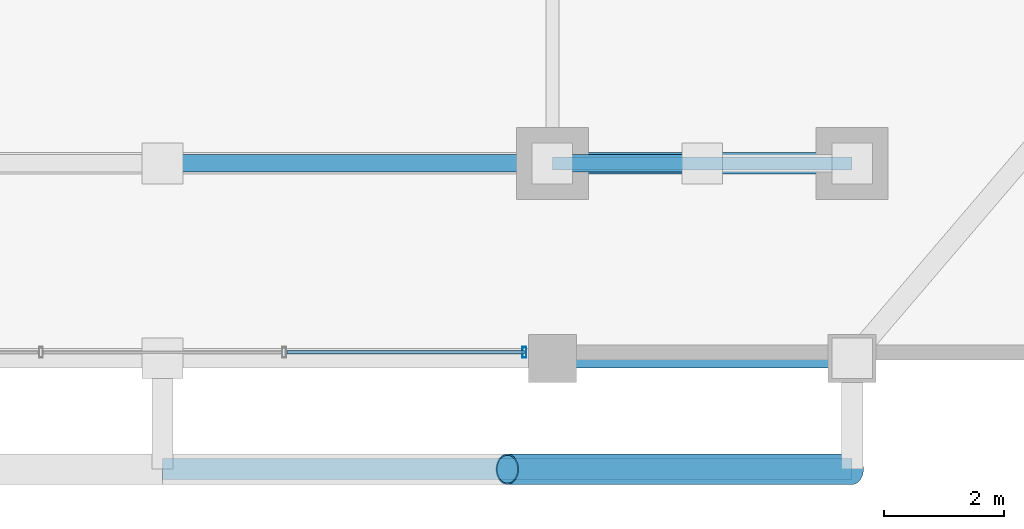
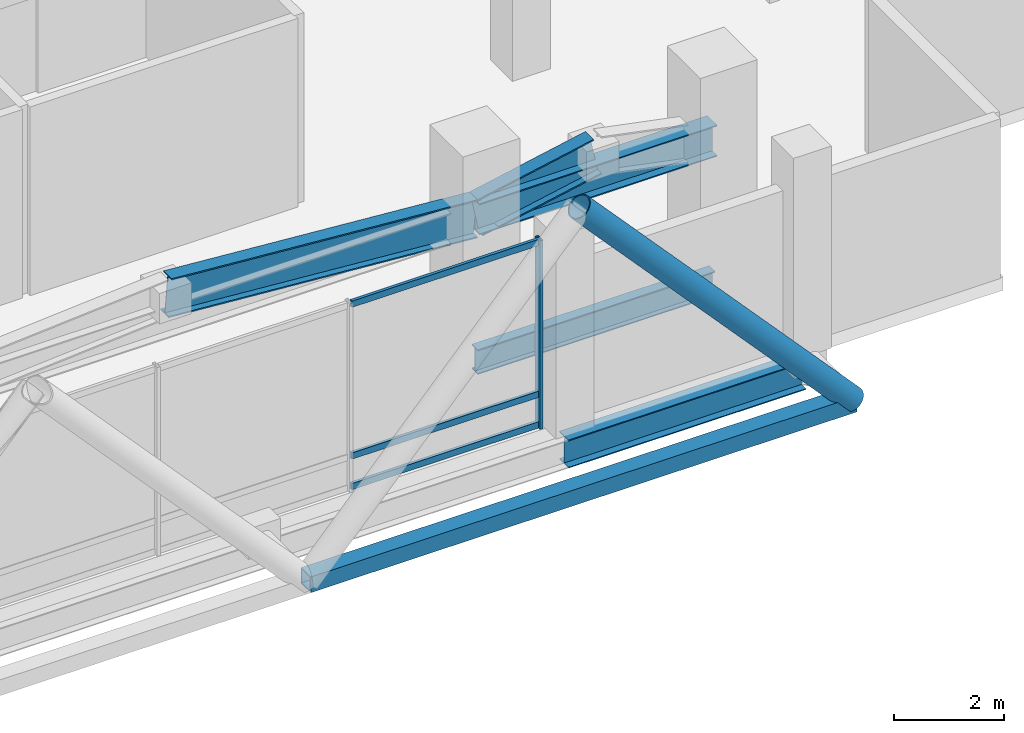
# One storey, part 3 of 22: 9 members, 2 beams, 1 element without a shape of its own.
"""IFC4 building model written with IfcOpenShell, lengths in metres."""

from ifc_helpers import new_model, si_unit, direction, frame, origin, origin_2d, place, context, subcontext, project, spatial, hollow_rectangle, hollow_circle, i_section, extrude, material, layer, layer_set, material_profile, profile_set, type_object, element, aggregate, save


model = new_model("IFC4")

# Units and contexts
model_context = context("Model", 3, precision=1e-05, world=origin(), true_north=direction((0.0, 1.0)))
body_context = subcontext(model_context, "Body", "Model", "MODEL_VIEW")
ifc_project = project(units=[si_unit("LENGTHUNIT", "METRE"), si_unit("AREAUNIT", "SQUARE_METRE"), si_unit("VOLUMEUNIT", "CUBIC_METRE"), si_unit("PLANEANGLEUNIT", "RADIAN"), si_unit("MASSUNIT", "GRAM", prefix="KILO")], contexts=[model_context])

# Site, building, storey
site_placement = place(None, origin())
site = spatial("IfcSite", under=ifc_project, at=site_placement, CompositionType="ELEMENT")
building_placement = place(site_placement, origin())
building = spatial("IfcBuilding", under=site, at=building_placement, Name="Barlavira Tower and Art Museum", CompositionType="ELEMENT")
storey_placement = place(building_placement, frame((0.0, 0.0, 120.60009765625)))
storey = spatial("IfcBuildingStorey", under=building, at=storey_placement, Name="L30", CompositionType="ELEMENT", Elevation=120.60009765625)

# Members
ifc_material_1 = material(Name="Steel S355", Category="steel")
ifc_material_profile_1 = material_profile(ifc_material_1, i_section(OverallWidth=0.35595703125, OverallDepth=0.695068359375, WebThickness=0.014892578125, FlangeThickness=0.023681640625, at=origin_2d()), Name="W690x192.0")
ifc_profile_set_1 = profile_set([ifc_material_profile_1], Name="Steel S355")
member_type_1 = type_object("IfcMemberType", Name="Belt Truss Chord Member W690x192 Steel S355", PredefinedType="CHORD", material=ifc_profile_set_1)
member_1_placement = place(storey_placement, frame((6.5, -20.0, 2.64990234375), z_axis=(1.0, 0.0, 0.0), x_axis=(0.0, 1.0, 0.0)))
element("IfcMember", 1, at=member_1_placement, inside=storey, type_object=member_type_1, Name="L30 Belt Truss Bottom Chord BS3", PredefinedType="CHORD", context=body_context, shape_type="SweptSolid", body=[
    extrude(i_section(OverallWidth=0.35595703125, OverallDepth=0.695068359375, WebThickness=0.014892578125, FlangeThickness=0.023681640625, at=origin_2d()), origin(), (0.0, 0.0, 1.0), 5.0),
])
ifc_material_profile_2 = material_profile(ifc_material_1, i_section(OverallWidth=0.2939453125, OverallDepth=0.85107421875, WebThickness=0.017333984375, FlangeThickness=0.0283203125, at=origin_2d()), Name="W840x251.0")
ifc_profile_set_2 = profile_set([ifc_material_profile_2], Name="Steel S355")
member_type_2 = type_object("IfcMemberType", Name="Belt Truss Diagonal Brace W840x251 Steel S355", PredefinedType="BRACE", material=ifc_profile_set_2)
member_2_placement = place(storey_placement, frame((0.0, -20.0, 3.14990234375), z_axis=(0.997054485502, 0.0, -0.076696498885), x_axis=(0.0, 1.0, 0.0)))
element("IfcMember", 2, at=member_2_placement, inside=storey, type_object=member_type_2, Name="L30 Belt Truss Diagonal BS2-2", PredefinedType="BRACE", context=body_context, shape_type="SweptSolid", body=[
    extrude(i_section(OverallWidth=0.2939453125, OverallDepth=0.85107421875, WebThickness=0.017333984375, FlangeThickness=0.0283203125, at=origin_2d()), origin(), (0.0, 0.0, 1.0), 6.519287109375),
])
member_3_placement = place(storey_placement, frame((6.5, -20.0, 2.64990234375), z_axis=(0.980580675691, 0.0, 0.196116135138), x_axis=(0.0, 1.0, 0.0)))
element("IfcMember", 3, at=member_3_placement, inside=storey, type_object=member_type_2, Name="L30 Belt Truss Diagonal BS3-1", PredefinedType="BRACE", context=body_context, shape_type="SweptSolid", body=[
    extrude(i_section(OverallWidth=0.2939453125, OverallDepth=0.85107421875, WebThickness=0.017333984375, FlangeThickness=0.0283203125, at=origin_2d()), origin(), (0.0, 0.0, 1.0), 2.549560546875),
])

# Curtain wall, members
ifc_material_2 = material(Name="Low-iron coastal laminated glass", Category="glass")
ifc_layer = layer(ifc_material_2, 0.18994140625, Name="Low-iron coastal laminated glass")
ifc_layer_set = layer_set([ifc_layer], Name="Low-iron coastal laminated glass")
curtain_wall_type = type_object("IfcCurtainWallType", Name="Pale-Metal Unitised Curtain Wall Zone 2", PredefinedType="NOTDEFINED", material=ifc_layer_set)
curtain_wall_placement = place(storey_placement, origin())
curtain_wall = element("IfcCurtainWall", 4, at=curtain_wall_placement, inside=storey, type_object=curtain_wall_type, Name="L30 Curtain Wall CW2-L30-S-B3", PredefinedType="NOTDEFINED")
ifc_material_3 = material(Name="Pale anodised aluminium", Category="aluminium")
ifc_material_profile_3 = material_profile(ifc_material_3, hollow_rectangle(XDim=0.06494140625, YDim=0.179931640625, WallThickness=0.00390625, at=origin_2d()), Name="ALU-MULL 65x180x4")
ifc_profile_set_3 = profile_set([ifc_material_profile_3], Name="Pale anodised aluminium")
member_type_3 = type_object("IfcMemberType", Name="Curtain Wall Pale-Metal Mullion 65x180", PredefinedType="MULLION", material=ifc_profile_set_3)
member_4_placement = place(storey_placement, frame((6.034912109375, -23.14990234375, 0.0), z_axis=(0.0, 0.0, 1.0), x_axis=(1.0, 0.0, 0.0)))
member_4 = element("IfcMember", 5, at=member_4_placement, type_object=member_type_3, Name="CW2-L30-S-B3 Mullion 3", PredefinedType="MULLION", context=body_context, shape_type="SweptSolid", body=[
    extrude(hollow_rectangle(XDim=0.06494140625, YDim=0.179931640625, WallThickness=0.00390625, at=origin_2d()), origin(), (0.0, 0.0, 1.0), 4.199951171875),
])
ifc_material_profile_4 = material_profile(ifc_material_3, hollow_rectangle(XDim=0.06494140625, YDim=0.139892578125, WallThickness=0.00390625, at=origin_2d()), Name="ALU-TRAN 65x140x4")
ifc_profile_set_4 = profile_set([ifc_material_profile_4], Name="Pale anodised aluminium")
member_type_4 = type_object("IfcMemberType", Name="Curtain Wall Pale-Metal Transom 65x140", PredefinedType="USERDEFINED", material=ifc_profile_set_4)
member_5_placement = place(storey_placement, frame((2.07177734375, -23.14990234375, 0.06982421875), z_axis=(1.0, 0.0, 0.0), x_axis=(0.0, 1.0, 0.0)))
member_5 = element("IfcMember", 6, at=member_5_placement, type_object=member_type_4, Name="CW2-L30-S-B3 Transom 2.1", ObjectType="TRANSOM", PredefinedType="USERDEFINED", context=body_context, shape_type="SweptSolid", body=[
    extrude(hollow_rectangle(XDim=0.06494140625, YDim=0.139892578125, WallThickness=0.00390625, at=origin_2d()), origin(), (0.0, 0.0, 1.0), 3.963134765625),
])
member_6_placement = place(storey_placement, frame((2.07177734375, -23.14990234375, 0.75), z_axis=(1.0, 0.0, 0.0), x_axis=(0.0, 1.0, 0.0)))
member_6 = element("IfcMember", 7, at=member_6_placement, type_object=member_type_4, Name="CW2-L30-S-B3 Transom 2.2", ObjectType="TRANSOM", PredefinedType="USERDEFINED", context=body_context, shape_type="SweptSolid", body=[
    extrude(hollow_rectangle(XDim=0.06494140625, YDim=0.139892578125, WallThickness=0.00390625, at=origin_2d()), origin(), (0.0, 0.0, 1.0), 3.963134765625),
])
member_7_placement = place(storey_placement, frame((2.07177734375, -23.14990234375, 4.1298828125), z_axis=(1.0, 0.0, 0.0), x_axis=(0.0, 1.0, 0.0)))
member_7 = element("IfcMember", 8, at=member_7_placement, type_object=member_type_4, Name="CW2-L30-S-B3 Transom 2.3", ObjectType="TRANSOM", PredefinedType="USERDEFINED", context=body_context, shape_type="SweptSolid", body=[
    extrude(hollow_rectangle(XDim=0.06494140625, YDim=0.139892578125, WallThickness=0.00390625, at=origin_2d()), origin(), (0.0, 0.0, 1.0), 3.963134765625),
])
aggregate(curtain_wall, [member_4, member_5, member_6, member_7])

# Members
ifc_material_profile_5 = material_profile(ifc_material_1, hollow_circle(Radius=0.25390625, WallThickness=0.022216796875, at=origin_2d()), Name="CHS 508.0x22.2")
ifc_profile_set_5 = profile_set([ifc_material_profile_5], Name="Steel S355")
member_type_5 = type_object("IfcMemberType", Name="Pale-Metal Exoskeleton Diagrid Tube CHS 508x22 Steel S355", PredefinedType="BRACE", material=ifc_profile_set_5)
member_8_placement = place(storey_placement, frame((11.5, -25.10009765625, -0.1201171875), z_axis=(-0.67412750573, 0.0, 0.738614991736), x_axis=(0.0, -1.0, 0.0)))
element("IfcMember", 9, at=member_8_placement, inside=storey, type_object=member_type_5, Name="L30 Exoskeleton Diagrid Tube S", PredefinedType="BRACE", context=body_context, shape_type="SweptSolid", body=[
    extrude(hollow_circle(Radius=0.25390625, WallThickness=0.022216796875, at=origin_2d()), origin(), (0.0, 0.0, 1.0), 8.529541015625),
])
ifc_material_profile_6 = material_profile(ifc_material_1, hollow_rectangle(XDim=0.35009765625, YDim=0.35009765625, WallThickness=0.02001953125, at=origin_2d()), Name="SHS 350x350x20.0")
ifc_profile_set_6 = profile_set([ifc_material_profile_6], Name="Steel S355")
member_type_6 = type_object("IfcMemberType", Name="Pale-Metal Exoskeleton Ring Strut SHS 350x350x20 Steel S355", PredefinedType="STRUT", material=ifc_profile_set_6)
member_9_placement = place(storey_placement, frame((0.0, -25.10009765625, -0.1201171875), z_axis=(1.0, 0.0, 0.0), x_axis=(0.0, 1.0, 0.0)))
element("IfcMember", 10, at=member_9_placement, inside=storey, type_object=member_type_6, Name="L30 Exoskeleton Ring Strut S", PredefinedType="STRUT", context=body_context, shape_type="SweptSolid", body=[
    extrude(hollow_rectangle(XDim=0.35009765625, YDim=0.35009765625, WallThickness=0.02001953125, at=origin_2d()), origin(), (0.0, 0.0, 1.0), 11.5),
])

# Beams
ifc_material_profile_7 = material_profile(ifc_material_1, i_section(OverallWidth=0.327880859375, OverallDepth=0.62890625, WebThickness=0.013916015625, FlangeThickness=0.021484375, at=origin_2d()), Name="W610x174.0")
ifc_profile_set_7 = profile_set([ifc_material_profile_7], Name="Steel S355")
beam_type_1 = type_object("IfcBeamType", Name="Perimeter Spandrel Edge Beam W610x174 Steel S355", PredefinedType="SPANDREL", material=ifc_profile_set_7)
beam_1_placement = place(storey_placement, frame((6.5, -23.25, -0.614501953125), z_axis=(1.0, 0.0, 0.0), x_axis=(0.0, 1.0, 0.0)))
element("IfcBeam", 11, at=beam_1_placement, inside=storey, type_object=beam_type_1, Name="L30 Spandrel 3", PredefinedType="SPANDREL", context=body_context, shape_type="SweptSolid", body=[
    extrude(i_section(OverallWidth=0.327880859375, OverallDepth=0.62890625, WebThickness=0.013916015625, FlangeThickness=0.021484375, at=origin_2d()), origin(), (0.0, 0.0, 1.0), 5.0),
])
ifc_material_profile_8 = material_profile(ifc_material_1, i_section(OverallWidth=0.214111328125, OverallDepth=0.549072265625, WebThickness=0.0146484375, FlangeThickness=0.023681640625, at=origin_2d()), Name="W530x138.0")
ifc_profile_set_8 = profile_set([ifc_material_profile_8], Name="Steel S355")
beam_type_2 = type_object("IfcBeamType", Name="Zone 1 Primary Floor Girder W530x138 Steel S355", PredefinedType="BEAM", material=ifc_profile_set_8)
beam_2_placement = place(storey_placement, frame((6.5, -20.0, -0.57470703125), z_axis=(1.0, 0.0, 0.0), x_axis=(0.0, 1.0, 0.0)))
element("IfcBeam", 12, at=beam_2_placement, inside=storey, type_object=beam_type_2, Name="L30 Girder M-S3", PredefinedType="BEAM", context=body_context, shape_type="SweptSolid", body=[
    extrude(i_section(OverallWidth=0.214111328125, OverallDepth=0.549072265625, WebThickness=0.0146484375, FlangeThickness=0.023681640625, at=origin_2d()), origin(), (0.0, 0.0, 1.0), 5.0),
])

save(model, "model.ifc")
